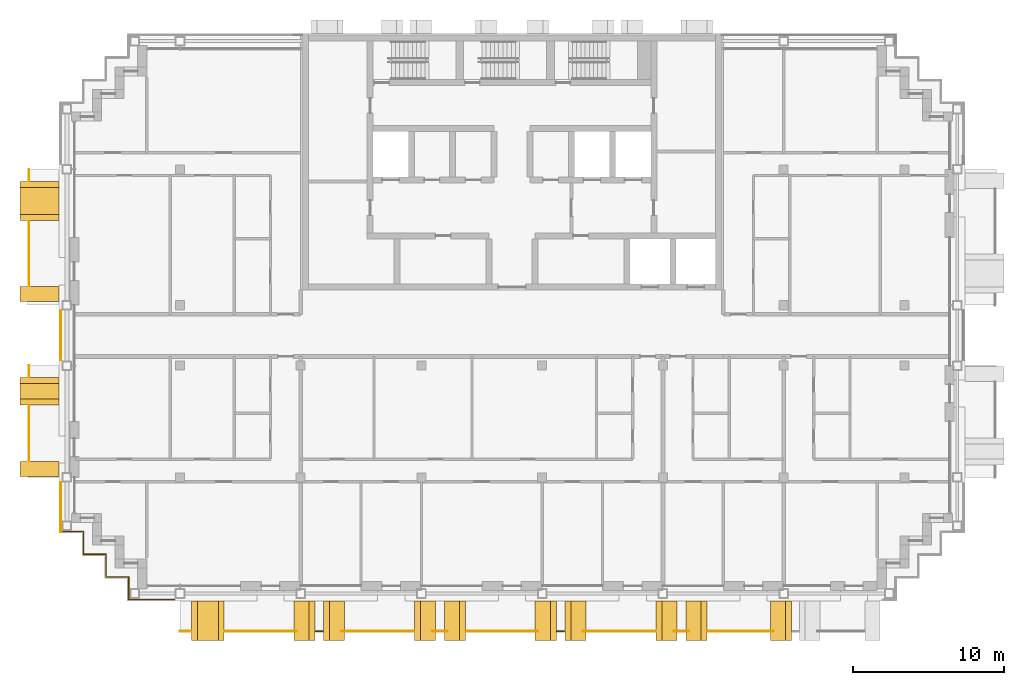
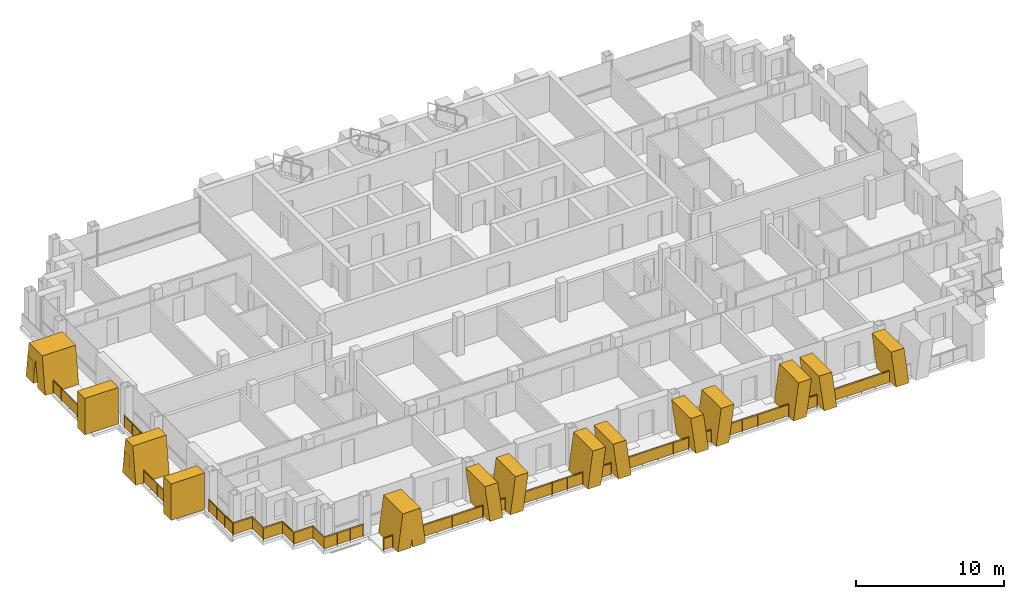
# One storey, part 12 of 15: 17 railings, 14 shading devices.
"""IFC4 building model written with IfcOpenShell, lengths in metres."""

from ifc_helpers import new_model, si_unit, direction, frame, origin, origin_2d, place, context, subcontext, project, spatial, polyline, rectangle, circle, outline, extrude, material, layer, layer_set, type_object, element, save


model = new_model("IFC4")

# Units and contexts
model_context = context("Model", 3, precision=1e-05, world=origin(), true_north=direction((0.0, 1.0)))
body_context = subcontext(model_context, "Body", "Model", "MODEL_VIEW")
ifc_project = project(units=[si_unit("LENGTHUNIT", "METRE"), si_unit("AREAUNIT", "SQUARE_METRE"), si_unit("VOLUMEUNIT", "CUBIC_METRE"), si_unit("PLANEANGLEUNIT", "RADIAN"), si_unit("MASSUNIT", "GRAM", prefix="KILO")], contexts=[model_context])

# Site, building, storey
site_placement = place(None, origin())
site = spatial("IfcSite", under=ifc_project, at=site_placement, CompositionType="ELEMENT")
building_placement = place(site_placement, origin())
building = spatial("IfcBuilding", under=site, at=building_placement, Name="Vidyagriha Tower", CompositionType="ELEMENT")
storey_placement = place(building_placement, frame((0.0, 0.0, 214.0)))
storey = spatial("IfcBuildingStorey", under=building, at=storey_placement, Name="L55", CompositionType="ELEMENT", Elevation=214.0)

# Railings
ifc_material_1 = material(Name="Steel ASTM A500 Grade C black painted", Category="steel")
railing_type_1 = type_object("IfcRailingType", Name="Balcony guard 1100", PredefinedType="BALUSTRADE", material=ifc_material_1)
railing_1_placement = place(storey_placement, frame((-32.0, 11.0, 0.0)))
element("IfcRailing", 1, at=railing_1_placement, inside=storey, type_object=railing_type_1, Name="Balcony guard L55 R16.1-1", PredefinedType="BALUSTRADE", context=body_context, shape_type="SweptSolid", body=[
    extrude(circle(Radius=0.02490234375, at=origin_2d()), frame((0.0, 0.0, 1.0751953125), z_axis=(0.0, -1.0, 0.0), x_axis=(1.0, 0.0, 0.0)), (0.0, 0.0, 1.0), 0.75),
    extrude(circle(Radius=0.02001953125, at=origin_2d()), origin(), (0.0, 0.0, 1.0), 1.050048828125),
    extrude(circle(Radius=0.02001953125, at=origin_2d()), frame((0.0, -0.75, 0.0)), (0.0, 0.0, 1.0), 1.050048828125),
    extrude(rectangle(XDim=0.010009765625, YDim=0.900146484375, at=origin_2d()), frame((0.0, 0.0, 0.550048828125), z_axis=(0.0, -1.0, 0.0), x_axis=(1.0, 0.0, 0.0)), (0.0, 0.0, 1.0), 0.75),
])
railing_2_placement = place(storey_placement, frame((-32.0, 7.550048828125, 0.0)))
element("IfcRailing", 2, at=railing_2_placement, inside=storey, type_object=railing_type_1, Name="Balcony guard L55 R16.1-2", PredefinedType="BALUSTRADE", context=body_context, shape_type="SweptSolid", body=[
    extrude(circle(Radius=0.02490234375, at=origin_2d()), frame((0.0, 0.0, 1.0751953125), z_axis=(0.0, -1.0, 0.0), x_axis=(1.0, 0.0, 0.0)), (0.0, 0.0, 1.0), 4.25),
    extrude(circle(Radius=0.02001953125, at=origin_2d()), origin(), (0.0, 0.0, 1.0), 1.050048828125),
    extrude(circle(Radius=0.02001953125, at=origin_2d()), frame((0.0, -1.0625, 0.0)), (0.0, 0.0, 1.0), 1.050048828125),
    extrude(circle(Radius=0.02001953125, at=origin_2d()), frame((0.0, -2.125, 0.0)), (0.0, 0.0, 1.0), 1.050048828125),
    extrude(circle(Radius=0.02001953125, at=origin_2d()), frame((0.0, -3.1875, 0.0)), (0.0, 0.0, 1.0), 1.050048828125),
    extrude(circle(Radius=0.02001953125, at=origin_2d()), frame((0.0, -4.25, 0.0)), (0.0, 0.0, 1.0), 1.050048828125),
    extrude(rectangle(XDim=0.010009765625, YDim=0.900146484375, at=origin_2d()), frame((0.0, 0.0, 0.550048828125), z_axis=(0.0, -1.0, 0.0), x_axis=(1.0, 0.0, 0.0)), (0.0, 0.0, 1.0), 4.25),
])
railing_3_placement = place(storey_placement, frame((-32.0, -2.0, 0.0)))
element("IfcRailing", 3, at=railing_3_placement, inside=storey, type_object=railing_type_1, Name="Balcony guard L55 R16.2-1", PredefinedType="BALUSTRADE", context=body_context, shape_type="SweptSolid", body=[
    extrude(circle(Radius=0.02490234375, at=origin_2d()), frame((0.0, 0.0, 1.0751953125), z_axis=(0.0, -1.0, 0.0), x_axis=(1.0, 0.0, 0.0)), (0.0, 0.0, 1.0), 0.75),
    extrude(circle(Radius=0.02001953125, at=origin_2d()), origin(), (0.0, 0.0, 1.0), 1.050048828125),
    extrude(circle(Radius=0.02001953125, at=origin_2d()), frame((0.0, -0.75, 0.0)), (0.0, 0.0, 1.0), 1.050048828125),
    extrude(rectangle(XDim=0.010009765625, YDim=0.900146484375, at=origin_2d()), frame((0.0, 0.0, 0.550048828125), z_axis=(0.0, -1.0, 0.0), x_axis=(1.0, 0.0, 0.0)), (0.0, 0.0, 1.0), 0.75),
])
railing_4_placement = place(storey_placement, frame((-32.0, -4.64990234375, 0.0)))
element("IfcRailing", 4, at=railing_4_placement, inside=storey, type_object=railing_type_1, Name="Balcony guard L55 R16.2-2", PredefinedType="BALUSTRADE", context=body_context, shape_type="SweptSolid", body=[
    extrude(circle(Radius=0.02490234375, at=origin_2d()), frame((0.0, 0.0, 1.0751953125), z_axis=(0.0, -1.0, 0.0), x_axis=(1.0, 0.0, 0.0)), (0.0, 0.0, 1.0), 3.650146484375),
    extrude(circle(Radius=0.02001953125, at=origin_2d()), origin(), (0.0, 0.0, 1.0), 1.050048828125),
    extrude(circle(Radius=0.02001953125, at=origin_2d()), frame((0.0, -0.91259765625, 0.0)), (0.0, 0.0, 1.0), 1.050048828125),
    extrude(circle(Radius=0.02001953125, at=origin_2d()), frame((0.0, -1.8251953125, 0.0)), (0.0, 0.0, 1.0), 1.050048828125),
    extrude(circle(Radius=0.02001953125, at=origin_2d()), frame((0.0, -2.737548828125, 0.0)), (0.0, 0.0, 1.0), 1.050048828125),
    extrude(circle(Radius=0.02001953125, at=origin_2d()), frame((0.0, -3.650146484375, 0.0)), (0.0, 0.0, 1.0), 1.050048828125),
    extrude(rectangle(XDim=0.010009765625, YDim=0.900146484375, at=origin_2d()), frame((0.0, 0.0, 0.550048828125), z_axis=(0.0, -1.0, 0.0), x_axis=(1.0, 0.0, 0.0)), (0.0, 0.0, 1.0), 3.650146484375),
])
railing_5_placement = place(storey_placement, frame((-22.0, -19.60009765625, 0.0)))
element("IfcRailing", 5, at=railing_5_placement, inside=storey, type_object=railing_type_1, Name="Balcony guard L55 R23.1-1", PredefinedType="BALUSTRADE", context=body_context, shape_type="SweptSolid", body=[
    extrude(circle(Radius=0.02490234375, at=origin_2d()), frame((0.0, 0.0, 1.0751953125), z_axis=(1.0, 0.0, 0.0), x_axis=(0.0, 1.0, 0.0)), (0.0, 0.0, 1.0), 0.721435546875),
    extrude(circle(Radius=0.02001953125, at=origin_2d()), origin(), (0.0, 0.0, 1.0), 1.050048828125),
    extrude(circle(Radius=0.02001953125, at=origin_2d()), frame((0.721435546875, 0.0, 0.0)), (0.0, 0.0, 1.0), 1.050048828125),
    extrude(rectangle(XDim=0.010009765625, YDim=0.900146484375, at=origin_2d()), frame((0.0, 0.0, 0.550048828125), z_axis=(1.0, 0.0, 0.0), x_axis=(0.0, 1.0, 0.0)), (0.0, 0.0, 1.0), 0.721435546875),
])
railing_6_placement = place(storey_placement, frame((-19.021484375, -19.60009765625, 0.0)))
element("IfcRailing", 6, at=railing_6_placement, inside=storey, type_object=railing_type_1, Name="Balcony guard L55 R23.1-2", PredefinedType="BALUSTRADE", context=body_context, shape_type="SweptSolid", body=[
    extrude(circle(Radius=0.02490234375, at=origin_2d()), frame((0.0, 0.0, 1.0751953125), z_axis=(1.0, 0.0, 0.0), x_axis=(0.0, 1.0, 0.0)), (0.0, 0.0, 1.0), 4.755126953125),
    extrude(circle(Radius=0.02001953125, at=origin_2d()), origin(), (0.0, 0.0, 1.0), 1.050048828125),
    extrude(circle(Radius=0.02001953125, at=origin_2d()), frame((1.188720703125, 0.0, 0.0)), (0.0, 0.0, 1.0), 1.050048828125),
    extrude(circle(Radius=0.02001953125, at=origin_2d()), frame((2.37744140625, 0.0, 0.0)), (0.0, 0.0, 1.0), 1.050048828125),
    extrude(circle(Radius=0.02001953125, at=origin_2d()), frame((3.56640625, 0.0, 0.0)), (0.0, 0.0, 1.0), 1.050048828125),
    extrude(circle(Radius=0.02001953125, at=origin_2d()), frame((4.755126953125, 0.0, 0.0)), (0.0, 0.0, 1.0), 1.050048828125),
    extrude(rectangle(XDim=0.010009765625, YDim=0.900146484375, at=origin_2d()), frame((0.0, 0.0, 0.550048828125), z_axis=(1.0, 0.0, 0.0), x_axis=(0.0, 1.0, 0.0)), (0.0, 0.0, 1.0), 4.755126953125),
])
railing_7_placement = place(storey_placement, frame((-13.014892578125, -19.60009765625, 0.0)))
element("IfcRailing", 7, at=railing_7_placement, inside=storey, type_object=railing_type_1, Name="Balcony guard L55 R23.1-3", PredefinedType="BALUSTRADE", context=body_context, shape_type="SweptSolid", body=[
    extrude(circle(Radius=0.02490234375, at=origin_2d()), frame((0.0, 0.0, 1.0751953125), z_axis=(1.0, 0.0, 0.0), x_axis=(0.0, 1.0, 0.0)), (0.0, 0.0, 1.0), 0.47998046875),
    extrude(circle(Radius=0.02001953125, at=origin_2d()), origin(), (0.0, 0.0, 1.0), 1.050048828125),
    extrude(circle(Radius=0.02001953125, at=origin_2d()), frame((0.47998046875, 0.0, 0.0)), (0.0, 0.0, 1.0), 1.050048828125),
    extrude(rectangle(XDim=0.010009765625, YDim=0.900146484375, at=origin_2d()), frame((0.0, 0.0, 0.550048828125), z_axis=(1.0, 0.0, 0.0), x_axis=(0.0, 1.0, 0.0)), (0.0, 0.0, 1.0), 0.47998046875),
])
railing_8_placement = place(storey_placement, frame((-11.28369140625, -19.60009765625, 0.0)))
element("IfcRailing", 8, at=railing_8_placement, inside=storey, type_object=railing_type_1, Name="Balcony guard L55 R23.1-4", PredefinedType="BALUSTRADE", context=body_context, shape_type="SweptSolid", body=[
    extrude(circle(Radius=0.02490234375, at=origin_2d()), frame((0.0, 0.0, 1.0751953125), z_axis=(1.0, 0.0, 0.0), x_axis=(0.0, 1.0, 0.0)), (0.0, 0.0, 1.0), 4.773681640625),
    extrude(circle(Radius=0.02001953125, at=origin_2d()), origin(), (0.0, 0.0, 1.0), 1.050048828125),
    extrude(circle(Radius=0.02001953125, at=origin_2d()), frame((1.193359375, 0.0, 0.0)), (0.0, 0.0, 1.0), 1.050048828125),
    extrude(circle(Radius=0.02001953125, at=origin_2d()), frame((2.38671875, 0.0, 0.0)), (0.0, 0.0, 1.0), 1.050048828125),
    extrude(circle(Radius=0.02001953125, at=origin_2d()), frame((3.580322265625, 0.0, 0.0)), (0.0, 0.0, 1.0), 1.050048828125),
    extrude(circle(Radius=0.02001953125, at=origin_2d()), frame((4.773681640625, 0.0, 0.0)), (0.0, 0.0, 1.0), 1.050048828125),
    extrude(rectangle(XDim=0.010009765625, YDim=0.900146484375, at=origin_2d()), frame((0.0, 0.0, 0.550048828125), z_axis=(1.0, 0.0, 0.0), x_axis=(0.0, 1.0, 0.0)), (0.0, 0.0, 1.0), 4.773681640625),
])
railing_9_placement = place(storey_placement, frame((-5.258544921875, -19.60009765625, 0.0)))
element("IfcRailing", 9, at=railing_9_placement, inside=storey, type_object=railing_type_1, Name="Balcony guard L55 R23.1-5", PredefinedType="BALUSTRADE", context=body_context, shape_type="SweptSolid", body=[
    extrude(circle(Radius=0.02490234375, at=origin_2d()), frame((0.0, 0.0, 1.0751953125), z_axis=(1.0, 0.0, 0.0), x_axis=(0.0, 1.0, 0.0)), (0.0, 0.0, 1.0), 0.967041015625),
    extrude(circle(Radius=0.02001953125, at=origin_2d()), origin(), (0.0, 0.0, 1.0), 1.050048828125),
    extrude(circle(Radius=0.02001953125, at=origin_2d()), frame((0.967041015625, 0.0, 0.0)), (0.0, 0.0, 1.0), 1.050048828125),
    extrude(rectangle(XDim=0.010009765625, YDim=0.900146484375, at=origin_2d()), frame((0.0, 0.0, 0.550048828125), z_axis=(1.0, 0.0, 0.0), x_axis=(0.0, 1.0, 0.0)), (0.0, 0.0, 1.0), 0.967041015625),
])
railing_10_placement = place(storey_placement, frame((-3.0400390625, -19.60009765625, 0.0)))
element("IfcRailing", 10, at=railing_10_placement, inside=storey, type_object=railing_type_1, Name="Balcony guard L55 R23.1-6", PredefinedType="BALUSTRADE", context=body_context, shape_type="SweptSolid", body=[
    extrude(circle(Radius=0.02490234375, at=origin_2d()), frame((0.0, 0.0, 1.0751953125), z_axis=(1.0, 0.0, 0.0), x_axis=(0.0, 1.0, 0.0)), (0.0, 0.0, 1.0), 4.773681640625),
    extrude(circle(Radius=0.02001953125, at=origin_2d()), origin(), (0.0, 0.0, 1.0), 1.050048828125),
    extrude(circle(Radius=0.02001953125, at=origin_2d()), frame((1.193359375, 0.0, 0.0)), (0.0, 0.0, 1.0), 1.050048828125),
    extrude(circle(Radius=0.02001953125, at=origin_2d()), frame((2.38671875, 0.0, 0.0)), (0.0, 0.0, 1.0), 1.050048828125),
    extrude(circle(Radius=0.02001953125, at=origin_2d()), frame((3.580322265625, 0.0, 0.0)), (0.0, 0.0, 1.0), 1.050048828125),
    extrude(circle(Radius=0.02001953125, at=origin_2d()), frame((4.773681640625, 0.0, 0.0)), (0.0, 0.0, 1.0), 1.050048828125),
    extrude(rectangle(XDim=0.010009765625, YDim=0.900146484375, at=origin_2d()), frame((0.0, 0.0, 0.550048828125), z_axis=(1.0, 0.0, 0.0), x_axis=(0.0, 1.0, 0.0)), (0.0, 0.0, 1.0), 4.773681640625),
])
railing_11_placement = place(storey_placement, frame((2.985107421875, -19.60009765625, 0.0)))
element("IfcRailing", 11, at=railing_11_placement, inside=storey, type_object=railing_type_1, Name="Balcony guard L55 R23.1-7", PredefinedType="BALUSTRADE", context=body_context, shape_type="SweptSolid", body=[
    extrude(circle(Radius=0.02490234375, at=origin_2d()), frame((0.0, 0.0, 1.0751953125), z_axis=(1.0, 0.0, 0.0), x_axis=(0.0, 1.0, 0.0)), (0.0, 0.0, 1.0), 0.47998046875),
    extrude(circle(Radius=0.02001953125, at=origin_2d()), origin(), (0.0, 0.0, 1.0), 1.050048828125),
    extrude(circle(Radius=0.02001953125, at=origin_2d()), frame((0.47998046875, 0.0, 0.0)), (0.0, 0.0, 1.0), 1.050048828125),
    extrude(rectangle(XDim=0.010009765625, YDim=0.900146484375, at=origin_2d()), frame((0.0, 0.0, 0.550048828125), z_axis=(1.0, 0.0, 0.0), x_axis=(0.0, 1.0, 0.0)), (0.0, 0.0, 1.0), 0.47998046875),
])
railing_12_placement = place(storey_placement, frame((4.71630859375, -19.60009765625, 0.0)))
element("IfcRailing", 12, at=railing_12_placement, inside=storey, type_object=railing_type_1, Name="Balcony guard L55 R23.1-8", PredefinedType="BALUSTRADE", context=body_context, shape_type="SweptSolid", body=[
    extrude(circle(Radius=0.02490234375, at=origin_2d()), frame((0.0, 0.0, 1.0751953125), z_axis=(1.0, 0.0, 0.0), x_axis=(0.0, 1.0, 0.0)), (0.0, 0.0, 1.0), 4.773681640625),
    extrude(circle(Radius=0.02001953125, at=origin_2d()), origin(), (0.0, 0.0, 1.0), 1.050048828125),
    extrude(circle(Radius=0.02001953125, at=origin_2d()), frame((1.193359375, 0.0, 0.0)), (0.0, 0.0, 1.0), 1.050048828125),
    extrude(circle(Radius=0.02001953125, at=origin_2d()), frame((2.38671875, 0.0, 0.0)), (0.0, 0.0, 1.0), 1.050048828125),
    extrude(circle(Radius=0.02001953125, at=origin_2d()), frame((3.580322265625, 0.0, 0.0)), (0.0, 0.0, 1.0), 1.050048828125),
    extrude(circle(Radius=0.02001953125, at=origin_2d()), frame((4.773681640625, 0.0, 0.0)), (0.0, 0.0, 1.0), 1.050048828125),
    extrude(rectangle(XDim=0.010009765625, YDim=0.900146484375, at=origin_2d()), frame((0.0, 0.0, 0.550048828125), z_axis=(1.0, 0.0, 0.0), x_axis=(0.0, 1.0, 0.0)), (0.0, 0.0, 1.0), 4.773681640625),
])
railing_13_placement = place(storey_placement, frame((10.741455078125, -19.60009765625, 0.0)))
element("IfcRailing", 13, at=railing_13_placement, inside=storey, type_object=railing_type_1, Name="Balcony guard L55 R23.1-9", PredefinedType="BALUSTRADE", context=body_context, shape_type="SweptSolid", body=[
    extrude(circle(Radius=0.02490234375, at=origin_2d()), frame((0.0, 0.0, 1.0751953125), z_axis=(1.0, 0.0, 0.0), x_axis=(0.0, 1.0, 0.0)), (0.0, 0.0, 1.0), 0.967041015625),
    extrude(circle(Radius=0.02001953125, at=origin_2d()), origin(), (0.0, 0.0, 1.0), 1.050048828125),
    extrude(circle(Radius=0.02001953125, at=origin_2d()), frame((0.967041015625, 0.0, 0.0)), (0.0, 0.0, 1.0), 1.050048828125),
    extrude(rectangle(XDim=0.010009765625, YDim=0.900146484375, at=origin_2d()), frame((0.0, 0.0, 0.550048828125), z_axis=(1.0, 0.0, 0.0), x_axis=(0.0, 1.0, 0.0)), (0.0, 0.0, 1.0), 0.967041015625),
])
railing_14_placement = place(storey_placement, frame((12.9599609375, -19.60009765625, 0.0)))
element("IfcRailing", 14, at=railing_14_placement, inside=storey, type_object=railing_type_1, Name="Balcony guard L55 R23.1-10", PredefinedType="BALUSTRADE", context=body_context, shape_type="SweptSolid", body=[
    extrude(circle(Radius=0.02490234375, at=origin_2d()), frame((0.0, 0.0, 1.0751953125), z_axis=(1.0, 0.0, 0.0), x_axis=(0.0, 1.0, 0.0)), (0.0, 0.0, 1.0), 4.3564453125),
    extrude(circle(Radius=0.02001953125, at=origin_2d()), origin(), (0.0, 0.0, 1.0), 1.050048828125),
    extrude(circle(Radius=0.02001953125, at=origin_2d()), frame((1.089111328125, 0.0, 0.0)), (0.0, 0.0, 1.0), 1.050048828125),
    extrude(circle(Radius=0.02001953125, at=origin_2d()), frame((2.17822265625, 0.0, 0.0)), (0.0, 0.0, 1.0), 1.050048828125),
    extrude(circle(Radius=0.02001953125, at=origin_2d()), frame((3.267333984375, 0.0, 0.0)), (0.0, 0.0, 1.0), 1.050048828125),
    extrude(circle(Radius=0.02001953125, at=origin_2d()), frame((4.3564453125, 0.0, 0.0)), (0.0, 0.0, 1.0), 1.050048828125),
    extrude(rectangle(XDim=0.010009765625, YDim=0.900146484375, at=origin_2d()), frame((0.0, 0.0, 0.550048828125), z_axis=(1.0, 0.0, 0.0), x_axis=(0.0, 1.0, 0.0)), (0.0, 0.0, 1.0), 4.3564453125),
])

# Shading devices
ifc_material_2 = material(Name="Precast concrete C40/50 with buff brick facing", Category="concrete")
ifc_layer_1 = layer(ifc_material_2, 1.0)
ifc_layer_set_1 = layer_set([ifc_layer_1], Name="Precast concrete C40/50 with buff brick facing")
shading_device_type_1 = type_object("IfcShadingDeviceType", Name="Brick-faced blade fin arm leaning 8 degrees", PredefinedType="USERDEFINED", material=ifc_layer_set_1)
shading_device_1_placement = place(storey_placement, frame((-12.485107421875, -18.89990234375, 0.0)))
element("IfcShadingDevice", 15, at=shading_device_1_placement, inside=storey, type_object=shading_device_type_1, Name="Leaning blade fin L55 R23.1020a", ObjectType="BLADE FIN", PredefinedType="USERDEFINED", context=body_context, shape_type="SweptSolid", body=[
    extrude(outline(polyline([(0.0, 0.0), (1.0, 0.0), (1.39501953125, 3.0), (0.39501953125, 3.0), (0.0, 0.0)])), frame((0.0, 1.300048828125, 0.0), z_axis=(0.0, -1.0, 0.0), x_axis=(1.0, 0.0, 0.0)), (0.0, 0.0, 1.0), 2.60009765625),
])
shading_device_2_placement = place(storey_placement, frame((-14.4599609375, -18.89990234375, 0.0)))
element("IfcShadingDevice", 16, at=shading_device_2_placement, inside=storey, type_object=shading_device_type_1, Name="Leaning blade fin L55 R23.1020b", ObjectType="BLADE FIN", PredefinedType="USERDEFINED", context=body_context, shape_type="SweptSolid", body=[
    extrude(outline(polyline([(0.39501953125, 0.0), (1.39501953125, 0.0), (1.0, 3.0), (0.0, 3.0), (0.39501953125, 0.0)])), frame((0.0, 1.300048828125, 0.0), z_axis=(0.0, -1.0, 0.0), x_axis=(1.0, 0.0, 0.0)), (0.0, 0.0, 1.0), 2.60009765625),
])
shading_device_3_placement = place(storey_placement, frame((-6.4599609375, -18.89990234375, 0.0)))
element("IfcShadingDevice", 17, at=shading_device_3_placement, inside=storey, type_object=shading_device_type_1, Name="Leaning blade fin L55 R23.1820a", ObjectType="BLADE FIN", PredefinedType="USERDEFINED", context=body_context, shape_type="SweptSolid", body=[
    extrude(outline(polyline([(0.0, 0.0), (1.0, 0.0), (1.39501953125, 3.0), (0.39501953125, 3.0), (0.0, 0.0)])), frame((0.0, 1.300048828125, 0.0), z_axis=(0.0, -1.0, 0.0), x_axis=(1.0, 0.0, 0.0)), (0.0, 0.0, 1.0), 2.60009765625),
])
shading_device_4_placement = place(storey_placement, frame((-4.485107421875, -18.89990234375, 0.0)))
element("IfcShadingDevice", 18, at=shading_device_4_placement, inside=storey, type_object=shading_device_type_1, Name="Leaning blade fin L55 R23.1820b", ObjectType="BLADE FIN", PredefinedType="USERDEFINED", context=body_context, shape_type="SweptSolid", body=[
    extrude(outline(polyline([(0.39501953125, 0.0), (1.39501953125, 0.0), (1.0, 3.0), (0.0, 3.0), (0.39501953125, 0.0)])), frame((0.0, 1.300048828125, 0.0), z_axis=(0.0, -1.0, 0.0), x_axis=(1.0, 0.0, 0.0)), (0.0, 0.0, 1.0), 2.60009765625),
])
shading_device_5_placement = place(storey_placement, frame((3.514892578125, -18.89990234375, 0.0)))
element("IfcShadingDevice", 19, at=shading_device_5_placement, inside=storey, type_object=shading_device_type_1, Name="Leaning blade fin L55 R23.2620a", ObjectType="BLADE FIN", PredefinedType="USERDEFINED", context=body_context, shape_type="SweptSolid", body=[
    extrude(outline(polyline([(0.0, 0.0), (1.0, 0.0), (1.39501953125, 3.0), (0.39501953125, 3.0), (0.0, 0.0)])), frame((0.0, 1.300048828125, 0.0), z_axis=(0.0, -1.0, 0.0), x_axis=(1.0, 0.0, 0.0)), (0.0, 0.0, 1.0), 2.60009765625),
])
shading_device_6_placement = place(storey_placement, frame((1.5400390625, -18.89990234375, 0.0)))
element("IfcShadingDevice", 20, at=shading_device_6_placement, inside=storey, type_object=shading_device_type_1, Name="Leaning blade fin L55 R23.2620b", ObjectType="BLADE FIN", PredefinedType="USERDEFINED", context=body_context, shape_type="SweptSolid", body=[
    extrude(outline(polyline([(0.39501953125, 0.0), (1.39501953125, 0.0), (1.0, 3.0), (0.0, 3.0), (0.39501953125, 0.0)])), frame((0.0, 1.300048828125, 0.0), z_axis=(0.0, -1.0, 0.0), x_axis=(1.0, 0.0, 0.0)), (0.0, 0.0, 1.0), 2.60009765625),
])
shading_device_7_placement = place(storey_placement, frame((9.5400390625, -18.89990234375, 0.0)))
element("IfcShadingDevice", 21, at=shading_device_7_placement, inside=storey, type_object=shading_device_type_1, Name="Leaning blade fin L55 R23.3420a", ObjectType="BLADE FIN", PredefinedType="USERDEFINED", context=body_context, shape_type="SweptSolid", body=[
    extrude(outline(polyline([(0.0, 0.0), (1.0, 0.0), (1.39501953125, 3.0), (0.39501953125, 3.0), (0.0, 0.0)])), frame((0.0, 1.300048828125, 0.0), z_axis=(0.0, -1.0, 0.0), x_axis=(1.0, 0.0, 0.0)), (0.0, 0.0, 1.0), 2.60009765625),
])
shading_device_8_placement = place(storey_placement, frame((11.514892578125, -18.89990234375, 0.0)))
element("IfcShadingDevice", 22, at=shading_device_8_placement, inside=storey, type_object=shading_device_type_1, Name="Leaning blade fin L55 R23.3420b", ObjectType="BLADE FIN", PredefinedType="USERDEFINED", context=body_context, shape_type="SweptSolid", body=[
    extrude(outline(polyline([(0.39501953125, 0.0), (1.39501953125, 0.0), (1.0, 3.0), (0.0, 3.0), (0.39501953125, 0.0)])), frame((0.0, 1.300048828125, 0.0), z_axis=(0.0, -1.0, 0.0), x_axis=(1.0, 0.0, 0.0)), (0.0, 0.0, 1.0), 2.60009765625),
])
shading_device_9_placement = place(storey_placement, frame((17.13134765625, -18.89990234375, 0.0)))
element("IfcShadingDevice", 23, at=shading_device_9_placement, inside=storey, type_object=shading_device_type_1, Name="Leaning blade fin L55 R23.4220b", ObjectType="BLADE FIN", PredefinedType="USERDEFINED", context=body_context, shape_type="SweptSolid", body=[
    extrude(outline(polyline([(0.381103515625, 0.0), (1.381103515625, 0.0), (1.0, 3.0), (0.0, 3.0), (0.381103515625, 0.0)])), frame((0.0, 1.300048828125, 0.0), z_axis=(0.0, -1.0, 0.0), x_axis=(1.0, 0.0, 0.0)), (0.0, 0.0, 1.0), 2.60009765625),
])
ifc_material_3 = material(Name="Precast concrete C40/50 with buff brick facing", Category="concrete")
ifc_layer_2 = layer(ifc_material_3, 1.0)
ifc_layer_set_2 = layer_set([ifc_layer_2], Name="Precast concrete C40/50 with buff brick facing")
shading_device_type_2 = type_object("IfcShadingDeviceType", Name="Brick-faced blade fin forking 8 degrees", PredefinedType="USERDEFINED", material=ifc_layer_set_2)
shading_device_10_placement = place(storey_placement, frame((-31.300048828125, 10.199951171875, 0.0), z_axis=(0.0, 0.0, 1.0), x_axis=(0.0, -1.0, 0.0)))
element("IfcShadingDevice", 24, at=shading_device_10_placement, inside=storey, type_object=shading_device_type_2, Name="Forked blade fin L55 R16.320a", ObjectType="BLADE FIN", PredefinedType="USERDEFINED", context=body_context, shape_type="SweptSolid", body=[
    extrude(outline(polyline([(1.0, 0.0), (1.300048828125, 2.25), (1.60009765625, 0.0), (2.60009765625, 0.0), (2.199951171875, 3.0), (0.39990234375, 3.0), (0.0, 0.0), (1.0, 0.0)])), frame((0.0, 1.300048828125, 0.0), z_axis=(0.0, -1.0, 0.0), x_axis=(1.0, 0.0, 0.0)), (0.0, 0.0, 1.0), 2.60009765625),
])
shading_device_11_placement = place(storey_placement, frame((-31.300048828125, -2.800048828125, 0.0), z_axis=(0.0, 0.0, 1.0), x_axis=(0.0, -1.0, 0.0)))
element("IfcShadingDevice", 25, at=shading_device_11_placement, inside=storey, type_object=shading_device_type_2, Name="Forked blade fin L55 R16.1620a", ObjectType="BLADE FIN", PredefinedType="USERDEFINED", context=body_context, shape_type="SweptSolid", body=[
    extrude(outline(polyline([(0.0, 0.0), (1.800048828125, 0.0), (1.39990234375, 3.0), (0.39990234375, 3.0), (0.0, 0.0)])), frame((0.0, 1.300048828125, 0.0), z_axis=(0.0, -1.0, 0.0), x_axis=(1.0, 0.0, 0.0)), (0.0, 0.0, 1.0), 2.60009765625),
])
shading_device_12_placement = place(storey_placement, frame((-21.228515625, -18.89990234375, 0.0)))
element("IfcShadingDevice", 26, at=shading_device_12_placement, inside=storey, type_object=shading_device_type_2, Name="Forked blade fin L55 R23.220a", ObjectType="BLADE FIN", PredefinedType="USERDEFINED", context=body_context, shape_type="SweptSolid", body=[
    extrude(outline(polyline([(1.0, 0.0), (1.07861328125, 0.611083984375), (1.1572265625, 0.0), (2.1572265625, 0.0), (1.771484375, 3.0), (0.3857421875, 3.0), (0.0, 0.0), (1.0, 0.0)])), frame((0.0, 1.300048828125, 0.0), z_axis=(0.0, -1.0, 0.0), x_axis=(1.0, 0.0, 0.0)), (0.0, 0.0, 1.0), 2.60009765625),
])
ifc_material_4 = material(Name="Precast concrete C40/50 with buff brick facing", Category="concrete")
ifc_layer_3 = layer(ifc_material_4, 1.0)
ifc_layer_set_3 = layer_set([ifc_layer_3], Name="Precast concrete C40/50 with buff brick facing")
shading_device_type_3 = type_object("IfcShadingDeviceType", Name="Brick-faced blade fin stem 1000", PredefinedType="USERDEFINED", material=ifc_layer_set_3)
for number, where, z_axis, x_axis, name in (
    (27, (-31.300048828125, 3.25, 0.0), (0.0, 0.0, 1.0), (0.0, -1.0, 0.0), "Stem blade fin L55 R16.1220a"),
    (28, (-31.300048828125, -8.35009765625, 0.0), (0.0, 0.0, 1.0), (0.0, -1.0, 0.0), "Stem blade fin L55 R16.2360a"),
):
    element("IfcShadingDevice", number, at=place(storey_placement, frame(where, z_axis=z_axis, x_axis=x_axis)), inside=storey, type_object=shading_device_type_3, Name=name, ObjectType="BLADE FIN", PredefinedType="USERDEFINED", context=body_context, shape_type="SweptSolid", body=[
        extrude(outline(polyline([(0.0, 0.0), (1.0, 0.0), (1.0, 3.0), (0.0, 3.0), (0.0, 0.0)])), frame((0.0, 1.300048828125, 0.0), z_axis=(0.0, -1.0, 0.0), x_axis=(1.0, 0.0, 0.0)), (0.0, 0.0, 1.0), 2.60009765625),
    ])

# Railings
ifc_material_5 = material(Name="Steel ASTM A500 Grade C black painted", Category="steel")
railing_type_2 = type_object("IfcRailingType", Name="Gallery guard 1100", PredefinedType="GUARDRAIL", material=ifc_material_5)
railing_15_placement = place(storey_placement, frame((-22.360107421875, -17.5, 0.0)))
element("IfcRailing", 29, at=railing_15_placement, inside=storey, type_object=railing_type_2, Name="Gallery guard L55 1", PredefinedType="GUARDRAIL", context=body_context, shape_type="SweptSolid", body=[
    extrude(circle(Radius=0.02490234375, at=origin_2d()), frame((0.0, 0.0, 1.0751953125), z_axis=(-1.0, 0.0, 0.0), x_axis=(0.0, -1.0, 0.0)), (0.0, 0.0, 1.0), 3.039794921875),
    extrude(circle(Radius=0.02490234375, at=origin_2d()), frame((-3.039794921875, 0.0, 1.0751953125), z_axis=(0.0, 1.0, 0.0), x_axis=(-1.0, 0.0, 0.0)), (0.0, 0.0, 1.0), 1.5),
    extrude(circle(Radius=0.02490234375, at=origin_2d()), frame((-3.039794921875, 1.5, 1.0751953125), z_axis=(-1.0, 0.0, 0.0), x_axis=(0.0, -1.0, 0.0)), (0.0, 0.0, 1.0), 1.5),
    extrude(circle(Radius=0.02490234375, at=origin_2d()), frame((-4.539794921875, 1.5, 1.0751953125), z_axis=(0.0, 1.0, 0.0), x_axis=(-1.0, 0.0, 0.0)), (0.0, 0.0, 1.0), 1.5),
    extrude(circle(Radius=0.02490234375, at=origin_2d()), frame((-4.539794921875, 3.0, 1.0751953125), z_axis=(-1.0, 0.0, 0.0), x_axis=(0.0, -1.0, 0.0)), (0.0, 0.0, 1.0), 1.5),
    extrude(circle(Radius=0.02490234375, at=origin_2d()), frame((-6.039794921875, 3.0, 1.0751953125), z_axis=(0.0, 1.0, 0.0), x_axis=(-1.0, 0.0, 0.0)), (0.0, 0.0, 1.0), 1.5),
    extrude(circle(Radius=0.02490234375, at=origin_2d()), frame((-6.039794921875, 4.5, 1.0751953125), z_axis=(-1.0, 0.0, 0.0), x_axis=(0.0, -1.0, 0.0)), (0.0, 0.0, 1.0), 1.460205078125),
    extrude(circle(Radius=0.02001953125, at=origin_2d()), origin(), (0.0, 0.0, 1.0), 1.050048828125),
    extrude(circle(Radius=0.02001953125, at=origin_2d()), frame((-1.01318359375, 0.0, 0.0)), (0.0, 0.0, 1.0), 1.050048828125),
    extrude(circle(Radius=0.02001953125, at=origin_2d()), frame((-2.026611328125, 0.0, 0.0)), (0.0, 0.0, 1.0), 1.050048828125),
    extrude(circle(Radius=0.02001953125, at=origin_2d()), frame((-3.039794921875, 0.0, 0.0)), (0.0, 0.0, 1.0), 1.050048828125),
    extrude(circle(Radius=0.02001953125, at=origin_2d()), frame((-3.039794921875, 1.5, 0.0)), (0.0, 0.0, 1.0), 1.050048828125),
    extrude(circle(Radius=0.02001953125, at=origin_2d()), frame((-4.539794921875, 1.5, 0.0)), (0.0, 0.0, 1.0), 1.050048828125),
    extrude(circle(Radius=0.02001953125, at=origin_2d()), frame((-4.539794921875, 3.0, 0.0)), (0.0, 0.0, 1.0), 1.050048828125),
    extrude(circle(Radius=0.02001953125, at=origin_2d()), frame((-6.039794921875, 3.0, 0.0)), (0.0, 0.0, 1.0), 1.050048828125),
    extrude(circle(Radius=0.02001953125, at=origin_2d()), frame((-6.039794921875, 4.5, 0.0)), (0.0, 0.0, 1.0), 1.050048828125),
    extrude(circle(Radius=0.02001953125, at=origin_2d()), frame((-7.5, 4.5, 0.0)), (0.0, 0.0, 1.0), 1.050048828125),
    extrude(rectangle(XDim=0.010009765625, YDim=0.900146484375, at=origin_2d()), frame((0.0, 0.0, 0.550048828125), z_axis=(-1.0, 0.0, 0.0), x_axis=(0.0, -1.0, 0.0)), (0.0, 0.0, 1.0), 3.039794921875),
    extrude(rectangle(XDim=0.010009765625, YDim=0.900146484375, at=origin_2d()), frame((-3.039794921875, 0.0, 0.550048828125), z_axis=(0.0, 1.0, 0.0), x_axis=(-1.0, 0.0, 0.0)), (0.0, 0.0, 1.0), 1.5),
    extrude(rectangle(XDim=0.010009765625, YDim=0.900146484375, at=origin_2d()), frame((-3.039794921875, 1.5, 0.550048828125), z_axis=(-1.0, 0.0, 0.0), x_axis=(0.0, -1.0, 0.0)), (0.0, 0.0, 1.0), 1.5),
    extrude(rectangle(XDim=0.010009765625, YDim=0.900146484375, at=origin_2d()), frame((-4.539794921875, 1.5, 0.550048828125), z_axis=(0.0, 1.0, 0.0), x_axis=(-1.0, 0.0, 0.0)), (0.0, 0.0, 1.0), 1.5),
    extrude(rectangle(XDim=0.010009765625, YDim=0.900146484375, at=origin_2d()), frame((-4.539794921875, 3.0, 0.550048828125), z_axis=(-1.0, 0.0, 0.0), x_axis=(0.0, -1.0, 0.0)), (0.0, 0.0, 1.0), 1.5),
    extrude(rectangle(XDim=0.010009765625, YDim=0.900146484375, at=origin_2d()), frame((-6.039794921875, 3.0, 0.550048828125), z_axis=(0.0, 1.0, 0.0), x_axis=(-1.0, 0.0, 0.0)), (0.0, 0.0, 1.0), 1.5),
    extrude(rectangle(XDim=0.010009765625, YDim=0.900146484375, at=origin_2d()), frame((-6.039794921875, 4.5, 0.550048828125), z_axis=(-1.0, 0.0, 0.0), x_axis=(0.0, -1.0, 0.0)), (0.0, 0.0, 1.0), 1.460205078125),
])
railing_16_placement = place(storey_placement, frame((-29.860107421875, -13.0, 0.0)))
element("IfcRailing", 30, at=railing_16_placement, inside=storey, type_object=railing_type_2, Name="Gallery guard L55 2", PredefinedType="GUARDRAIL", context=body_context, shape_type="SweptSolid", body=[
    extrude(circle(Radius=0.02490234375, at=origin_2d()), frame((0.0, 0.0, 1.0751953125), z_axis=(-1.0, 0.0, 0.0), x_axis=(0.0, -1.0, 0.0)), (0.0, 0.0, 1.0), 0.039794921875),
    extrude(circle(Radius=0.02490234375, at=origin_2d()), frame((-0.039794921875, 0.0, 1.0751953125), z_axis=(0.0, 1.0, 0.0), x_axis=(-1.0, 0.0, 0.0)), (0.0, 0.0, 1.0), 3.239990234375),
    extrude(circle(Radius=0.02001953125, at=origin_2d()), origin(), (0.0, 0.0, 1.0), 1.050048828125),
    extrude(circle(Radius=0.02001953125, at=origin_2d()), frame((-0.039794921875, 0.0, 0.0)), (0.0, 0.0, 1.0), 1.050048828125),
    extrude(circle(Radius=0.02001953125, at=origin_2d()), frame((-0.039794921875, 1.080078125, 0.0)), (0.0, 0.0, 1.0), 1.050048828125),
    extrude(circle(Radius=0.02001953125, at=origin_2d()), frame((-0.039794921875, 2.159912109375, 0.0)), (0.0, 0.0, 1.0), 1.050048828125),
    extrude(circle(Radius=0.02001953125, at=origin_2d()), frame((-0.039794921875, 3.239990234375, 0.0)), (0.0, 0.0, 1.0), 1.050048828125),
    extrude(rectangle(XDim=0.010009765625, YDim=0.900146484375, at=origin_2d()), frame((0.0, 0.0, 0.550048828125), z_axis=(-1.0, 0.0, 0.0), x_axis=(0.0, -1.0, 0.0)), (0.0, 0.0, 1.0), 0.039794921875),
    extrude(rectangle(XDim=0.010009765625, YDim=0.900146484375, at=origin_2d()), frame((-0.039794921875, 0.0, 0.550048828125), z_axis=(0.0, 1.0, 0.0), x_axis=(-1.0, 0.0, 0.0)), (0.0, 0.0, 1.0), 3.239990234375),
])
railing_17_placement = place(storey_placement, frame((-29.89990234375, -1.639892578125, 0.0)))
element("IfcRailing", 31, at=railing_17_placement, inside=storey, type_object=railing_type_2, Name="Gallery guard L55 3", PredefinedType="GUARDRAIL", context=body_context, shape_type="SweptSolid", body=[
    extrude(circle(Radius=0.02490234375, at=origin_2d()), frame((0.0, 0.0, 1.0751953125), z_axis=(0.0, 1.0, 0.0), x_axis=(-1.0, 0.0, 0.0)), (0.0, 0.0, 1.0), 3.27978515625),
    extrude(circle(Radius=0.02001953125, at=origin_2d()), origin(), (0.0, 0.0, 1.0), 1.050048828125),
    extrude(circle(Radius=0.02001953125, at=origin_2d()), frame((0.0, 1.09326171875, 0.0)), (0.0, 0.0, 1.0), 1.050048828125),
    extrude(circle(Radius=0.02001953125, at=origin_2d()), frame((0.0, 2.1865234375, 0.0)), (0.0, 0.0, 1.0), 1.050048828125),
    extrude(circle(Radius=0.02001953125, at=origin_2d()), frame((0.0, 3.27978515625, 0.0)), (0.0, 0.0, 1.0), 1.050048828125),
    extrude(rectangle(XDim=0.010009765625, YDim=0.900146484375, at=origin_2d()), frame((0.0, 0.0, 0.550048828125), z_axis=(0.0, 1.0, 0.0), x_axis=(-1.0, 0.0, 0.0)), (0.0, 0.0, 1.0), 3.27978515625),
])

save(model, "model.ifc")
